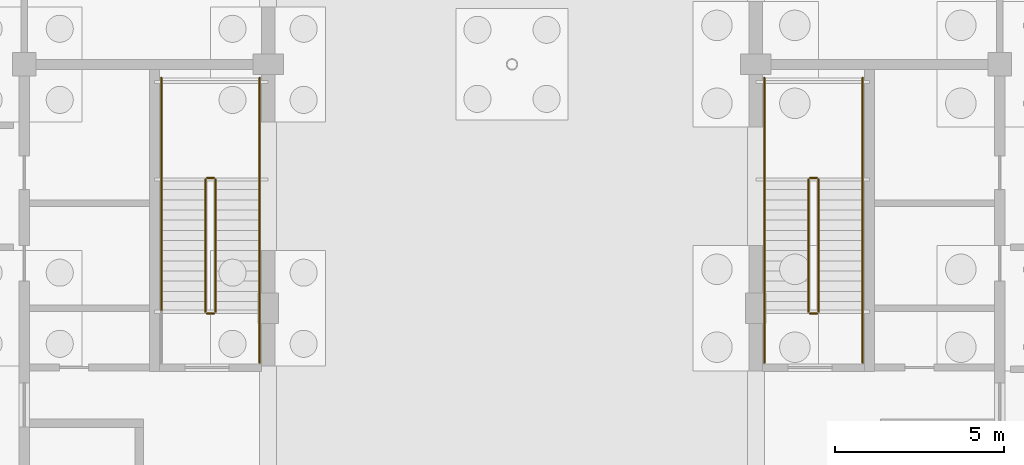
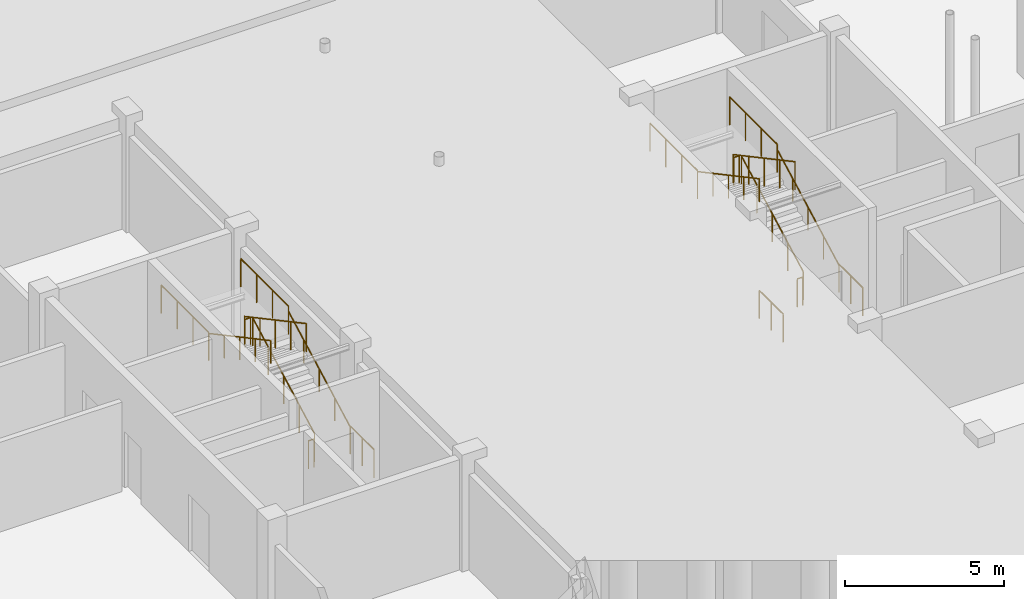
# One storey, part 38 of 51: 19 railings.
"""IFC4 building model written with IfcOpenShell, lengths in metres."""

import ifcopenshell
import ifcopenshell.guid

model = None  # the IFC model being written
_history = None  # IfcOwnerHistory: only IFC2X3 demands one
_inside = {}  # id of a spatial element -> (the spatial element, [elements in it])
_under = {}  # id of a project, library or spatial element -> (it, [spatial elements below it])
_declared = {}  # id of a project -> (the project, [libraries it declares])
_typed = {}  # id of a type object -> (the type object, [elements of that type])
_made_of = {}  # id of a material, layer set ... -> (it, [elements and type objects made of it])


def new_model(schema):
    """Start an empty IFC model of exactly this schema.

    Asked for "IFC4X3", IfcOpenShell would pick the latest addendum, in which some entities
    have other attributes; the version numbers below select the first issue.
    IFC2X3 requires an IfcOwnerHistory on every rooted entity: one is made here for all.
    """
    global model, _history
    if schema == "IFC4X3":
        model = ifcopenshell.file(schema_version=(4, 3, 0, 0))
    else:
        model = ifcopenshell.file(schema=schema)
    _inside.clear()
    _under.clear()
    _declared.clear()
    _typed.clear()
    _made_of.clear()
    _history = None
    if model.schema == "IFC2X3":
        org = make("IfcOrganization", Name="unknown")
        user = make(
            "IfcPersonAndOrganization",
            ThePerson=make("IfcPerson", FamilyName="unknown"),
            TheOrganization=org,
        )
        app = make(
            "IfcApplication",
            ApplicationDeveloper=org,
            Version="unknown",
            ApplicationFullName="unknown",
            ApplicationIdentifier="unknown",
        )
        _history = make(
            "IfcOwnerHistory",
            OwningUser=user,
            OwningApplication=app,
            ChangeAction="ADDED",
            CreationDate=0,
        )
    return model


def make(cls, **values):
    """One entity of the class cls with the attributes given. An attribute that is None is left unset."""
    return model.create_entity(
        cls, **{name: value for name, value in values.items() if value is not None}
    )


def rooted(cls, **values):
    """An entity with a GlobalId (a new one), such as an element, a storey or a relation."""
    return make(cls, GlobalId=ifcopenshell.guid.new(), OwnerHistory=_history, **values)


def si_unit(unit_type, name, prefix=None):
    """IfcSIUnit, for example si_unit("LENGTHUNIT", "METRE", prefix="MILLI")."""
    return make("IfcSIUnit", UnitType=unit_type, Prefix=prefix, Name=name)


def assignment(units):
    """IfcUnitAssignment: the units of a project."""
    return None if units is None else make("IfcUnitAssignment", Units=units)


def point(xyz):
    """IfcCartesianPoint."""
    return None if xyz is None else make("IfcCartesianPoint", Coordinates=xyz)


def direction(xyz):
    """IfcDirection."""
    return None if xyz is None else make("IfcDirection", DirectionRatios=xyz)


def frame(location, z_axis=None, x_axis=None):
    """IfcAxis2Placement3D, a coordinate frame: its origin and axes. An axis left out is left unset."""
    return make(
        "IfcAxis2Placement3D",
        Location=point(location),
        Axis=direction(z_axis),
        RefDirection=direction(x_axis),
    )


def frame_2d(location, x_axis=None):
    """IfcAxis2Placement2D, a coordinate frame in the plane: its origin and x axis."""
    return make(
        "IfcAxis2Placement2D", Location=point(location), RefDirection=direction(x_axis)
    )


def origin():
    """The frame at (0, 0, 0) with its axes left unset."""
    return frame((0.0, 0.0, 0.0))


def origin_2d():
    """The frame at (0, 0) in the plane with its x axis left unset."""
    return frame_2d((0.0, 0.0))


def place(relative_to, where):
    """IfcLocalPlacement: puts the frame where relative to a parent placement (None: the world)."""
    return make(
        "IfcLocalPlacement", PlacementRelTo=relative_to, RelativePlacement=where
    )


def context(
    kind, dimensions, precision=None, world=None, true_north=None, identifier=None
):
    """IfcGeometricRepresentationContext, for example the 3D "Model" context."""
    return make(
        "IfcGeometricRepresentationContext",
        ContextIdentifier=identifier,
        ContextType=kind,
        CoordinateSpaceDimension=dimensions,
        Precision=precision,
        WorldCoordinateSystem=world,
        TrueNorth=true_north,
    )


def subcontext(parent, identifier, kind, view, scale=None):
    """IfcGeometricRepresentationSubContext, for example "Body" below "Model"."""
    return make(
        "IfcGeometricRepresentationSubContext",
        ContextIdentifier=identifier,
        ContextType=kind,
        ParentContext=parent,
        TargetScale=scale,
        TargetView=view,
    )


def project(units=None, contexts=None):
    """IfcProject with its units and contexts."""
    return rooted(
        "IfcProject",
        Name="project",
        RepresentationContexts=contexts,
        UnitsInContext=assignment(units),
    )


def spatial(cls, under=None, at=None, **own):
    """A site, building, storey or space (cls), placed at a placement, below another one or the project."""
    s = rooted(cls, ObjectPlacement=at, **own)
    if under is not None:
        _under.setdefault(under.id(), (under, []))[1].append(s)
    return s


def profile(cls, at=None, kind="AREA", **sizes):
    """A parametric profile (cls). Its sizes go by their IFC names, for example OverallWidth=200.0."""
    return make(cls, ProfileType=kind, Position=at, **sizes)


def circle(**sizes):
    """IfcCircleProfileDef."""
    return profile("IfcCircleProfileDef", **sizes)


def extrude(swept, where, along, depth):
    """IfcExtrudedAreaSolid: the profile swept, set in the frame where, extruded along a direction by depth."""
    return make(
        "IfcExtrudedAreaSolid",
        SweptArea=swept,
        Position=where,
        ExtrudedDirection=direction(along),
        Depth=depth,
    )


def shape(context_of_items, identifier, shape_type, items):
    """IfcShapeRepresentation: the items that make up one representation, for example the "Body"."""
    return make(
        "IfcShapeRepresentation",
        ContextOfItems=context_of_items,
        RepresentationIdentifier=identifier,
        RepresentationType=shape_type,
        Items=items,
    )


def material(Name=None, Category=None):
    """IfcMaterial."""
    return make("IfcMaterial", Name=Name, Category=Category)


def made_of(thing, what):
    """Note that an element or type object is made of a material, layer set ...; save() writes the relation."""
    if what is not None:
        _made_of.setdefault(what.id(), (what, []))[1].append(thing)
    return thing


def type_object(cls, material=None, **own):
    """A type object (cls), such as IfcWallType, which elements share."""
    return made_of(rooted(cls, **own), material)


def element(
    cls,
    number,
    at=None,
    inside=None,
    cuts=None,
    type_object=None,
    material=None,
    context=None,
    identifier="Body",
    shape_type=None,
    held_by="IfcProductDefinitionShape",
    body=None,
    shapes=None,
    **own,
):
    """One element of the class cls, such as IfcWall. Its Tag is "e" and its number.

    at: its placement. inside: the storey or other place that contains it. cuts: it is an
    opening in that element (IfcRelVoidsElement). A single representation is given by context,
    identifier, shape_type and body (its items); several are given by shapes. held_by: the class
    of the entity that holds the representations. save() writes the other relations.
    """
    e = rooted(cls, Tag="e%d" % number, ObjectPlacement=at, **own)
    if body is not None:
        shapes = [shape(context, identifier, shape_type, body)]
    if shapes is not None:
        e.Representation = make(held_by, Representations=shapes)
    if inside is not None:
        _inside.setdefault(inside.id(), (inside, []))[1].append(e)
    if cuts is not None:
        rooted(
            "IfcRelVoidsElement", RelatingBuildingElement=cuts, RelatedOpeningElement=e
        )
    if type_object is not None:
        _typed.setdefault(type_object.id(), (type_object, []))[1].append(e)
    return made_of(e, material)


def aggregate(whole, parts):
    """IfcRelAggregates: a whole, such as a stair, and the parts it consists of."""
    return rooted("IfcRelAggregates", RelatingObject=whole, RelatedObjects=parts)


def save(model, path):
    """Write the relations noted so far, then the file.

    IfcRelAggregates (storeys below a building ...), IfcRelContainedInSpatialStructure (elements
    in a storey), IfcRelDefinesByType, IfcRelAssociatesMaterial and IfcRelDeclares: one each for
    every whole, place, type object, material and project.
    """
    for whole, parts in _under.values():
        aggregate(whole, parts)
    for where, things in _inside.values():
        rooted(
            "IfcRelContainedInSpatialStructure",
            RelatedElements=things,
            RelatingStructure=where,
        )
    for kind, things in _typed.values():
        rooted("IfcRelDefinesByType", RelatedObjects=things, RelatingType=kind)
    for what, things in _made_of.values():
        rooted("IfcRelAssociatesMaterial", RelatedObjects=things, RelatingMaterial=what)
    for by, libraries in _declared.values():
        rooted("IfcRelDeclares", RelatingContext=by, RelatedDefinitions=libraries)
    model.write(path)


model = new_model("IFC4")

# Units and contexts
model_context = context("Model", 3, precision=1e-05, world=origin(), true_north=direction((0.0, 1.0)))
body_context = subcontext(model_context, "Body", "Model", "MODEL_VIEW")
ifc_project = project(units=[si_unit("LENGTHUNIT", "METRE"), si_unit("AREAUNIT", "SQUARE_METRE"), si_unit("VOLUMEUNIT", "CUBIC_METRE"), si_unit("PLANEANGLEUNIT", "RADIAN"), si_unit("MASSUNIT", "GRAM", prefix="KILO")], contexts=[model_context])

# Site, building, storey
site_placement = place(None, origin())
site = spatial("IfcSite", under=ifc_project, at=site_placement, CompositionType="ELEMENT")
building_placement = place(site_placement, origin())
building = spatial("IfcBuilding", under=site, at=building_placement, Name="Zlatovets Crest Museum", CompositionType="ELEMENT")
storey_placement = place(building_placement, frame((0.0, 0.0, -4.5)))
storey = spatial("IfcBuildingStorey", under=building, at=storey_placement, Name="B1", CompositionType="ELEMENT", Elevation=-4.5)

# Railings
ifc_material_1 = material(Name="Painted steel safety guardrail", Category="steel")
railing_type_1 = type_object("IfcRailingType", Name="StairGuard_SG01", PredefinedType="GUARDRAIL", material=ifc_material_1)
railing_1_placement = place(storey_placement, frame((59.449951171875, 14.300048828125, 0.16064453125)))
element("IfcRailing", 1, at=railing_1_placement, inside=storey, type_object=railing_type_1, Name="B1 ST2 stair guard 1", PredefinedType="GUARDRAIL", context=body_context, shape_type="SweptSolid", body=[
    extrude(circle(Radius=0.02392578125, at=origin_2d()), frame((0.0, 0.0, 1.076171875), z_axis=(0.0, 0.881468485026, 0.472242850561), x_axis=(-1.0, 0.0, 0.0)), (0.0, 0.0, 1.0), 4.42431640625),
    extrude(circle(Radius=0.02099609375, at=origin_2d()), origin(), (0.0, 0.0, 1.0), 1.052001953125),
    extrude(circle(Radius=0.02099609375, at=origin_2d()), frame((0.0, 0.97509765625, 0.5224609375)), (0.0, 0.0, 1.0), 1.052001953125),
    extrude(circle(Radius=0.02099609375, at=origin_2d()), frame((0.0, 1.949951171875, 1.044677734375)), (0.0, 0.0, 1.0), 1.052001953125),
    extrude(circle(Radius=0.02099609375, at=origin_2d()), frame((0.0, 2.9248046875, 1.56689453125)), (0.0, 0.0, 1.0), 1.052001953125),
    extrude(circle(Radius=0.02099609375, at=origin_2d()), frame((0.0, 3.89990234375, 2.08935546875)), (0.0, 0.0, 1.0), 1.052001953125),
])
railing_2_placement = place(storey_placement, frame((59.39990234375, 18.25, 2.25)))
element("IfcRailing", 2, at=railing_2_placement, inside=storey, type_object=railing_type_1, Name="B1 ST2 stair guard 2", PredefinedType="GUARDRAIL", context=body_context, shape_type="SweptSolid", body=[
    extrude(circle(Radius=0.02392578125, at=origin_2d()), frame((0.0, 0.0, 1.076171875), z_axis=(-1.0, 0.0, 0.0), x_axis=(0.0, -1.0, 0.0)), (0.0, 0.0, 1.0), 0.199951171875),
    extrude(circle(Radius=0.02099609375, at=origin_2d()), origin(), (0.0, 0.0, 1.0), 1.052001953125),
    extrude(circle(Radius=0.02099609375, at=origin_2d()), frame((-0.199951171875, 0.0, 0.0)), (0.0, 0.0, 1.0), 1.052001953125),
])
for number, where, name in (
    (3, (60.75, 18.199951171875, 2.25), "B1 ST2 stair guard 3"),
    (4, (57.85009765625, 18.199951171875, 2.25), "B1 ST2 stair guard 4"),
):
    element("IfcRailing", number, at=place(storey_placement, frame(where)), inside=storey, type_object=railing_type_1, Name=name, PredefinedType="GUARDRAIL", context=body_context, shape_type="SweptSolid", body=[
        extrude(circle(Radius=0.02392578125, at=origin_2d()), frame((0.0, 0.0, 1.076171875), z_axis=(0.0, 1.0, 0.0), x_axis=(-1.0, 0.0, 0.0)), (0.0, 0.0, 1.0), 3.0),
        extrude(circle(Radius=0.02099609375, at=origin_2d()), origin(), (0.0, 0.0, 1.0), 1.052001953125),
        extrude(circle(Radius=0.02099609375, at=origin_2d()), frame((0.0, 1.0, 0.0)), (0.0, 0.0, 1.0), 1.052001953125),
        extrude(circle(Radius=0.02099609375, at=origin_2d()), frame((0.0, 2.0, 0.0)), (0.0, 0.0, 1.0), 1.052001953125),
        extrude(circle(Radius=0.02099609375, at=origin_2d()), frame((0.0, 3.0, 0.0)), (0.0, 0.0, 1.0), 1.052001953125),
    ])
railing_3_placement = place(storey_placement, frame((59.14990234375, 18.199951171875, 2.41064453125)))
element("IfcRailing", 5, at=railing_3_placement, inside=storey, type_object=railing_type_1, Name="B1 ST2 stair guard 5", PredefinedType="GUARDRAIL", context=body_context, shape_type="SweptSolid", body=[
    extrude(circle(Radius=0.02392578125, at=origin_2d()), frame((0.0, 0.0, 1.076171875), z_axis=(0.0, -0.881468485026, 0.472242850561), x_axis=(1.0, 0.0, 0.0)), (0.0, 0.0, 1.0), 4.42431640625),
    extrude(circle(Radius=0.02099609375, at=origin_2d()), origin(), (0.0, 0.0, 1.0), 1.052001953125),
    extrude(circle(Radius=0.02099609375, at=origin_2d()), frame((0.0, -0.97509765625, 0.5224609375)), (0.0, 0.0, 1.0), 1.052001953125),
    extrude(circle(Radius=0.02099609375, at=origin_2d()), frame((0.0, -1.949951171875, 1.044677734375)), (0.0, 0.0, 1.0), 1.052001953125),
    extrude(circle(Radius=0.02099609375, at=origin_2d()), frame((0.0, -2.9248046875, 1.56689453125)), (0.0, 0.0, 1.0), 1.052001953125),
    extrude(circle(Radius=0.02099609375, at=origin_2d()), frame((0.0, -3.89990234375, 2.08935546875)), (0.0, 0.0, 1.0), 1.052001953125),
])
railing_4_placement = place(storey_placement, frame((59.39990234375, 14.25, 0.0)))
element("IfcRailing", 6, at=railing_4_placement, inside=storey, type_object=railing_type_1, Name="B1 ST2 stair guard 6", PredefinedType="GUARDRAIL", context=body_context, shape_type="SweptSolid", body=[
    extrude(circle(Radius=0.02392578125, at=origin_2d()), frame((0.0, 0.0, 1.076171875), z_axis=(-1.0, 0.0, 0.0), x_axis=(0.0, -1.0, 0.0)), (0.0, 0.0, 1.0), 0.199951171875),
    extrude(circle(Radius=0.02099609375, at=origin_2d()), origin(), (0.0, 0.0, 1.0), 1.052001953125),
    extrude(circle(Radius=0.02099609375, at=origin_2d()), frame((-0.199951171875, 0.0, 0.0)), (0.0, 0.0, 1.0), 1.052001953125),
])
for number, where, name in (
    (7, (60.75, 12.800048828125, 0.0), "B1 ST2 stair guard 7"),
    (8, (57.85009765625, 12.800048828125, 0.0), "B1 ST2 stair guard 8"),
):
    element("IfcRailing", number, at=place(storey_placement, frame(where)), inside=storey, type_object=railing_type_1, Name=name, PredefinedType="GUARDRAIL", context=body_context, shape_type="SweptSolid", body=[
        extrude(circle(Radius=0.02392578125, at=origin_2d()), frame((0.0, 0.0, 1.076171875), z_axis=(0.0, 1.0, 0.0), x_axis=(-1.0, 0.0, 0.0)), (0.0, 0.0, 1.0), 1.5),
        extrude(circle(Radius=0.02099609375, at=origin_2d()), origin(), (0.0, 0.0, 1.0), 1.052001953125),
        extrude(circle(Radius=0.02099609375, at=origin_2d()), frame((0.0, 0.75, 0.0)), (0.0, 0.0, 1.0), 1.052001953125),
        extrude(circle(Radius=0.02099609375, at=origin_2d()), frame((0.0, 1.5, 0.0)), (0.0, 0.0, 1.0), 1.052001953125),
    ])
railing_5_placement = place(storey_placement, frame((41.64990234375, 14.300048828125, 0.16064453125)))
element("IfcRailing", 9, at=railing_5_placement, inside=storey, type_object=railing_type_1, Name="B1 ST3 stair guard 1", PredefinedType="GUARDRAIL", context=body_context, shape_type="SweptSolid", body=[
    extrude(circle(Radius=0.02392578125, at=origin_2d()), frame((0.0, 0.0, 1.076171875), z_axis=(0.0, 0.881468485026, 0.472242850561), x_axis=(-1.0, 0.0, 0.0)), (0.0, 0.0, 1.0), 4.42431640625),
    extrude(circle(Radius=0.02099609375, at=origin_2d()), origin(), (0.0, 0.0, 1.0), 1.052001953125),
    extrude(circle(Radius=0.02099609375, at=origin_2d()), frame((0.0, 0.97509765625, 0.5224609375)), (0.0, 0.0, 1.0), 1.052001953125),
    extrude(circle(Radius=0.02099609375, at=origin_2d()), frame((0.0, 1.949951171875, 1.044677734375)), (0.0, 0.0, 1.0), 1.052001953125),
    extrude(circle(Radius=0.02099609375, at=origin_2d()), frame((0.0, 2.9248046875, 1.56689453125)), (0.0, 0.0, 1.0), 1.052001953125),
    extrude(circle(Radius=0.02099609375, at=origin_2d()), frame((0.0, 3.89990234375, 2.08935546875)), (0.0, 0.0, 1.0), 1.052001953125),
])
railing_6_placement = place(storey_placement, frame((41.60009765625, 18.25, 2.25)))
element("IfcRailing", 10, at=railing_6_placement, inside=storey, type_object=railing_type_1, Name="B1 ST3 stair guard 2", PredefinedType="GUARDRAIL", context=body_context, shape_type="SweptSolid", body=[
    extrude(circle(Radius=0.02392578125, at=origin_2d()), frame((0.0, 0.0, 1.076171875), z_axis=(-1.0, 0.0, 0.0), x_axis=(0.0, -1.0, 0.0)), (0.0, 0.0, 1.0), 0.2001953125),
    extrude(circle(Radius=0.02099609375, at=origin_2d()), origin(), (0.0, 0.0, 1.0), 1.052001953125),
    extrude(circle(Radius=0.02099609375, at=origin_2d()), frame((-0.2001953125, 0.0, 0.0)), (0.0, 0.0, 1.0), 1.052001953125),
])
for number, where, name in (
    (11, (42.949951171875, 18.199951171875, 2.25), "B1 ST3 stair guard 3"),
    (12, (40.050048828125, 18.199951171875, 2.25), "B1 ST3 stair guard 4"),
):
    element("IfcRailing", number, at=place(storey_placement, frame(where)), inside=storey, type_object=railing_type_1, Name=name, PredefinedType="GUARDRAIL", context=body_context, shape_type="SweptSolid", body=[
        extrude(circle(Radius=0.02392578125, at=origin_2d()), frame((0.0, 0.0, 1.076171875), z_axis=(0.0, 1.0, 0.0), x_axis=(-1.0, 0.0, 0.0)), (0.0, 0.0, 1.0), 3.0),
        extrude(circle(Radius=0.02099609375, at=origin_2d()), origin(), (0.0, 0.0, 1.0), 1.052001953125),
        extrude(circle(Radius=0.02099609375, at=origin_2d()), frame((0.0, 1.0, 0.0)), (0.0, 0.0, 1.0), 1.052001953125),
        extrude(circle(Radius=0.02099609375, at=origin_2d()), frame((0.0, 2.0, 0.0)), (0.0, 0.0, 1.0), 1.052001953125),
        extrude(circle(Radius=0.02099609375, at=origin_2d()), frame((0.0, 3.0, 0.0)), (0.0, 0.0, 1.0), 1.052001953125),
    ])
railing_7_placement = place(storey_placement, frame((41.35009765625, 18.199951171875, 2.41064453125)))
element("IfcRailing", 13, at=railing_7_placement, inside=storey, type_object=railing_type_1, Name="B1 ST3 stair guard 5", PredefinedType="GUARDRAIL", context=body_context, shape_type="SweptSolid", body=[
    extrude(circle(Radius=0.02392578125, at=origin_2d()), frame((0.0, 0.0, 1.076171875), z_axis=(0.0, -0.881468485026, 0.472242850561), x_axis=(1.0, 0.0, 0.0)), (0.0, 0.0, 1.0), 4.42431640625),
    extrude(circle(Radius=0.02099609375, at=origin_2d()), origin(), (0.0, 0.0, 1.0), 1.052001953125),
    extrude(circle(Radius=0.02099609375, at=origin_2d()), frame((0.0, -0.97509765625, 0.5224609375)), (0.0, 0.0, 1.0), 1.052001953125),
    extrude(circle(Radius=0.02099609375, at=origin_2d()), frame((0.0, -1.949951171875, 1.044677734375)), (0.0, 0.0, 1.0), 1.052001953125),
    extrude(circle(Radius=0.02099609375, at=origin_2d()), frame((0.0, -2.9248046875, 1.56689453125)), (0.0, 0.0, 1.0), 1.052001953125),
    extrude(circle(Radius=0.02099609375, at=origin_2d()), frame((0.0, -3.89990234375, 2.08935546875)), (0.0, 0.0, 1.0), 1.052001953125),
])
railing_8_placement = place(storey_placement, frame((41.60009765625, 14.25, 0.0)))
element("IfcRailing", 14, at=railing_8_placement, inside=storey, type_object=railing_type_1, Name="B1 ST3 stair guard 6", PredefinedType="GUARDRAIL", context=body_context, shape_type="SweptSolid", body=[
    extrude(circle(Radius=0.02392578125, at=origin_2d()), frame((0.0, 0.0, 1.076171875), z_axis=(-1.0, 0.0, 0.0), x_axis=(0.0, -1.0, 0.0)), (0.0, 0.0, 1.0), 0.2001953125),
    extrude(circle(Radius=0.02099609375, at=origin_2d()), origin(), (0.0, 0.0, 1.0), 1.052001953125),
    extrude(circle(Radius=0.02099609375, at=origin_2d()), frame((-0.2001953125, 0.0, 0.0)), (0.0, 0.0, 1.0), 1.052001953125),
])
railing_9_placement = place(storey_placement, frame((42.949951171875, 12.800048828125, 0.0)))
element("IfcRailing", 15, at=railing_9_placement, inside=storey, type_object=railing_type_1, Name="B1 ST3 stair guard 7", PredefinedType="GUARDRAIL", context=body_context, shape_type="SweptSolid", body=[
    extrude(circle(Radius=0.02392578125, at=origin_2d()), frame((0.0, 0.0, 1.076171875), z_axis=(0.0, 1.0, 0.0), x_axis=(-1.0, 0.0, 0.0)), (0.0, 0.0, 1.0), 1.5),
    extrude(circle(Radius=0.02099609375, at=origin_2d()), origin(), (0.0, 0.0, 1.0), 1.052001953125),
    extrude(circle(Radius=0.02099609375, at=origin_2d()), frame((0.0, 0.75, 0.0)), (0.0, 0.0, 1.0), 1.052001953125),
    extrude(circle(Radius=0.02099609375, at=origin_2d()), frame((0.0, 1.5, 0.0)), (0.0, 0.0, 1.0), 1.052001953125),
])
ifc_material_2 = material(Name="Brushed bronze stair handrail")
railing_type_2 = type_object("IfcRailingType", Name="StairHandrail_SH01", PredefinedType="HANDRAIL", material=ifc_material_2)
railing_10_placement = place(storey_placement, frame((60.75, 14.300048828125, 0.16064453125)))
element("IfcRailing", 16, at=railing_10_placement, inside=storey, type_object=railing_type_2, Name="B1 ST2 stair handrail 1", PredefinedType="HANDRAIL", context=body_context, shape_type="SweptSolid", body=[
    extrude(circle(Radius=0.02392578125, at=origin_2d()), frame((0.0, 0.0, 0.8759765625), z_axis=(0.0, 0.881468485026, 0.472242850561), x_axis=(-1.0, 0.0, 0.0)), (0.0, 0.0, 1.0), 4.42431640625),
    extrude(circle(Radius=0.02099609375, at=origin_2d()), origin(), (0.0, 0.0, 1.0), 0.851806640625),
    extrude(circle(Radius=0.02099609375, at=origin_2d()), frame((0.0, 0.97509765625, 0.5224609375)), (0.0, 0.0, 1.0), 0.851806640625),
    extrude(circle(Radius=0.02099609375, at=origin_2d()), frame((0.0, 1.949951171875, 1.044677734375)), (0.0, 0.0, 1.0), 0.851806640625),
    extrude(circle(Radius=0.02099609375, at=origin_2d()), frame((0.0, 2.9248046875, 1.56689453125)), (0.0, 0.0, 1.0), 0.851806640625),
    extrude(circle(Radius=0.02099609375, at=origin_2d()), frame((0.0, 3.89990234375, 2.08935546875)), (0.0, 0.0, 1.0), 0.851806640625),
])
railing_11_placement = place(storey_placement, frame((57.85009765625, 18.199951171875, 2.41064453125)))
element("IfcRailing", 17, at=railing_11_placement, inside=storey, type_object=railing_type_2, Name="B1 ST2 stair handrail 2", PredefinedType="HANDRAIL", context=body_context, shape_type="SweptSolid", body=[
    extrude(circle(Radius=0.02392578125, at=origin_2d()), frame((0.0, 0.0, 0.8759765625), z_axis=(0.0, -0.881468485026, 0.472242850561), x_axis=(1.0, 0.0, 0.0)), (0.0, 0.0, 1.0), 4.42431640625),
    extrude(circle(Radius=0.02099609375, at=origin_2d()), origin(), (0.0, 0.0, 1.0), 0.851806640625),
    extrude(circle(Radius=0.02099609375, at=origin_2d()), frame((0.0, -0.97509765625, 0.5224609375)), (0.0, 0.0, 1.0), 0.851806640625),
    extrude(circle(Radius=0.02099609375, at=origin_2d()), frame((0.0, -1.949951171875, 1.044677734375)), (0.0, 0.0, 1.0), 0.851806640625),
    extrude(circle(Radius=0.02099609375, at=origin_2d()), frame((0.0, -2.9248046875, 1.56689453125)), (0.0, 0.0, 1.0), 0.851806640625),
    extrude(circle(Radius=0.02099609375, at=origin_2d()), frame((0.0, -3.89990234375, 2.08935546875)), (0.0, 0.0, 1.0), 0.851806640625),
])
railing_12_placement = place(storey_placement, frame((42.949951171875, 14.300048828125, 0.16064453125)))
element("IfcRailing", 18, at=railing_12_placement, inside=storey, type_object=railing_type_2, Name="B1 ST3 stair handrail 1", PredefinedType="HANDRAIL", context=body_context, shape_type="SweptSolid", body=[
    extrude(circle(Radius=0.02392578125, at=origin_2d()), frame((0.0, 0.0, 0.8759765625), z_axis=(0.0, 0.881468485026, 0.472242850561), x_axis=(-1.0, 0.0, 0.0)), (0.0, 0.0, 1.0), 4.42431640625),
    extrude(circle(Radius=0.02099609375, at=origin_2d()), origin(), (0.0, 0.0, 1.0), 0.851806640625),
    extrude(circle(Radius=0.02099609375, at=origin_2d()), frame((0.0, 0.97509765625, 0.5224609375)), (0.0, 0.0, 1.0), 0.851806640625),
    extrude(circle(Radius=0.02099609375, at=origin_2d()), frame((0.0, 1.949951171875, 1.044677734375)), (0.0, 0.0, 1.0), 0.851806640625),
    extrude(circle(Radius=0.02099609375, at=origin_2d()), frame((0.0, 2.9248046875, 1.56689453125)), (0.0, 0.0, 1.0), 0.851806640625),
    extrude(circle(Radius=0.02099609375, at=origin_2d()), frame((0.0, 3.89990234375, 2.08935546875)), (0.0, 0.0, 1.0), 0.851806640625),
])
railing_13_placement = place(storey_placement, frame((40.050048828125, 18.199951171875, 2.41064453125)))
element("IfcRailing", 19, at=railing_13_placement, inside=storey, type_object=railing_type_2, Name="B1 ST3 stair handrail 2", PredefinedType="HANDRAIL", context=body_context, shape_type="SweptSolid", body=[
    extrude(circle(Radius=0.02392578125, at=origin_2d()), frame((0.0, 0.0, 0.8759765625), z_axis=(0.0, -0.881468485026, 0.472242850561), x_axis=(1.0, 0.0, 0.0)), (0.0, 0.0, 1.0), 4.42431640625),
    extrude(circle(Radius=0.02099609375, at=origin_2d()), origin(), (0.0, 0.0, 1.0), 0.851806640625),
    extrude(circle(Radius=0.02099609375, at=origin_2d()), frame((0.0, -0.97509765625, 0.5224609375)), (0.0, 0.0, 1.0), 0.851806640625),
    extrude(circle(Radius=0.02099609375, at=origin_2d()), frame((0.0, -1.949951171875, 1.044677734375)), (0.0, 0.0, 1.0), 0.851806640625),
    extrude(circle(Radius=0.02099609375, at=origin_2d()), frame((0.0, -2.9248046875, 1.56689453125)), (0.0, 0.0, 1.0), 0.851806640625),
    extrude(circle(Radius=0.02099609375, at=origin_2d()), frame((0.0, -3.89990234375, 2.08935546875)), (0.0, 0.0, 1.0), 0.851806640625),
])

save(model, "model.ifc")
